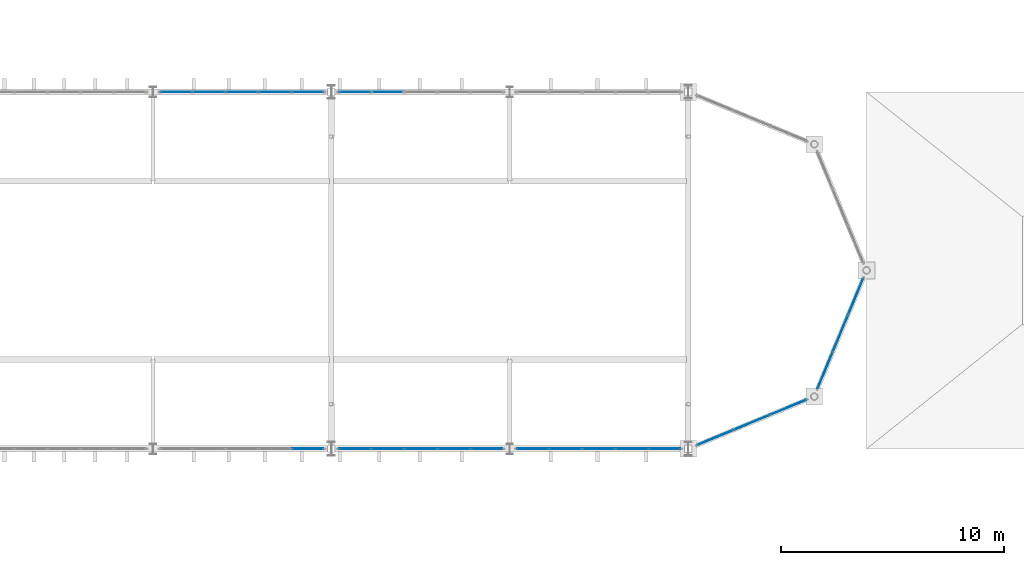
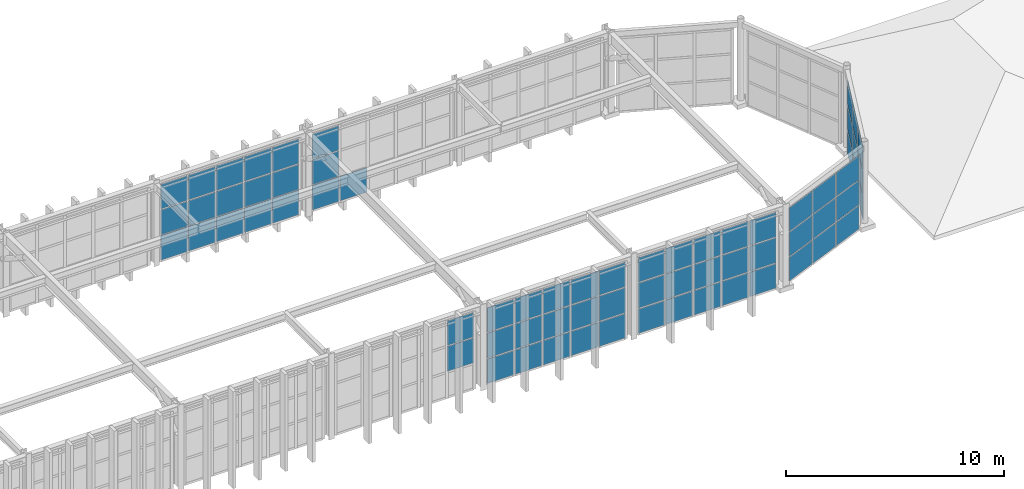
# One storey, part 43 of 61: 69 plates, 7 elements without a shape of their own.
"""IFC4 building model written with IfcOpenShell, lengths in metres."""

from ifc_helpers import new_model, si_unit, direction, frame, origin, origin_2d, place, context, subcontext, project, spatial, rectangle, extrude, material, layer, layer_set, type_object, element, aggregate, save


model = new_model("IFC4")

# Units and contexts
model_context = context("Model", 3, precision=1e-05, world=origin(), true_north=direction((0.0, 1.0)))
body_context = subcontext(model_context, "Body", "Model", "MODEL_VIEW")
ifc_project = project(units=[si_unit("LENGTHUNIT", "METRE"), si_unit("AREAUNIT", "SQUARE_METRE"), si_unit("VOLUMEUNIT", "CUBIC_METRE"), si_unit("PLANEANGLEUNIT", "RADIAN"), si_unit("MASSUNIT", "GRAM", prefix="KILO")], contexts=[model_context])

# Site, building, storey
site_placement = place(None, origin())
site = spatial("IfcSite", under=ifc_project, at=site_placement, CompositionType="ELEMENT")
building_placement = place(site_placement, origin())
building = spatial("IfcBuilding", under=site, at=building_placement, Name="Serraluz Foothill Cableway Terminal", CompositionType="ELEMENT")
storey_placement = place(building_placement, frame((0.0, 0.0, 15.0)))
storey = spatial("IfcBuildingStorey", under=building, at=storey_placement, Name="L03", CompositionType="ELEMENT", Elevation=15.0)

# Curtain wall, plates
ifc_material_1 = material(Name="Architectural bronze alloy C28000", Category="aluminium")
curtain_wall_type_1 = type_object("IfcCurtainWallType", Name="TYP-CW-440X360", PredefinedType="NOTDEFINED", material=ifc_material_1)
curtain_wall_1_placement = place(storey_placement, origin())
curtain_wall_1 = element("IfcCurtainWall", 1, at=curtain_wall_1_placement, inside=storey, type_object=curtain_wall_type_1, Name="Ribbed Glazed Curtain Wall CW-V1-E-L03-3", PredefinedType="NOTDEFINED")
ifc_material_2 = material(Name="Laminated low-E safety glass", Category="glass")
ifc_layer_1 = layer(ifc_material_2, 0.031982421875, Name="Laminated low-E safety glass", Category="glass")
ifc_layer_set_1 = layer_set([ifc_layer_1], Name="Laminated low-E safety glass")
plate_type_1 = type_object("IfcPlateType", Name="TYP-CW-PNL-32", PredefinedType="CURTAIN_PANEL", material=ifc_layer_set_1)
plate_1_placement = place(storey_placement, frame((159.5146484375, 62.827880859375, 0.05517578125), z_axis=(0.0, 0.0, 1.0), x_axis=(-0.382684759834, -0.923878982655, 0.0)))
plate_1 = element("IfcPlate", 2, at=plate_1_placement, type_object=plate_type_1, Name="CW-16 panel 1.1", PredefinedType="CURTAIN_PANEL", context=body_context, shape_type="SweptSolid", body=[
    extrude(rectangle(XDim=1.72412109375, YDim=0.031982421875, at=origin_2d()), origin(), (0.0, 0.0, 1.0), 1.3173828125),
])
plate_2_placement = place(storey_placement, frame((159.5146484375, 62.827880859375, 1.427734375), z_axis=(0.0, 0.0, 1.0), x_axis=(-0.382684759834, -0.923878982655, 0.0)))
plate_2 = element("IfcPlate", 3, at=plate_2_placement, type_object=plate_type_1, Name="CW-16 panel 1.2", PredefinedType="CURTAIN_PANEL", context=body_context, shape_type="SweptSolid", body=[
    extrude(rectangle(XDim=1.72412109375, YDim=0.031982421875, at=origin_2d()), origin(), (0.0, 0.0, 1.0), 1.344970703125),
])
plate_3_placement = place(storey_placement, frame((159.5146484375, 62.827880859375, 2.82763671875), z_axis=(0.0, 0.0, 1.0), x_axis=(-0.382684759834, -0.923878982655, 0.0)))
plate_3 = element("IfcPlate", 4, at=plate_3_placement, type_object=plate_type_1, Name="CW-16 panel 1.3", PredefinedType="CURTAIN_PANEL", context=body_context, shape_type="SweptSolid", body=[
    extrude(rectangle(XDim=1.72412109375, YDim=0.031982421875, at=origin_2d()), origin(), (0.0, 0.0, 1.0), 1.3173828125),
])
plate_4_placement = place(storey_placement, frame((158.828369140625, 61.171630859375, 0.05517578125), z_axis=(0.0, 0.0, 1.0), x_axis=(-0.382684759834, -0.923878982655, 0.0)))
plate_4 = element("IfcPlate", 5, at=plate_4_placement, type_object=plate_type_1, Name="CW-16 panel 2.1", PredefinedType="CURTAIN_PANEL", context=body_context, shape_type="SweptSolid", body=[
    extrude(rectangle(XDim=1.751708984375, YDim=0.031982421875, at=origin_2d()), origin(), (0.0, 0.0, 1.0), 1.3173828125),
])
plate_5_placement = place(storey_placement, frame((158.828369140625, 61.171630859375, 1.427734375), z_axis=(0.0, 0.0, 1.0), x_axis=(-0.382684759834, -0.923878982655, 0.0)))
plate_5 = element("IfcPlate", 6, at=plate_5_placement, type_object=plate_type_1, Name="CW-16 panel 2.2", PredefinedType="CURTAIN_PANEL", context=body_context, shape_type="SweptSolid", body=[
    extrude(rectangle(XDim=1.751708984375, YDim=0.031982421875, at=origin_2d()), origin(), (0.0, 0.0, 1.0), 1.344970703125),
])
plate_6_placement = place(storey_placement, frame((158.828369140625, 61.171630859375, 2.82763671875), z_axis=(0.0, 0.0, 1.0), x_axis=(-0.382684759834, -0.923878982655, 0.0)))
plate_6 = element("IfcPlate", 7, at=plate_6_placement, type_object=plate_type_1, Name="CW-16 panel 2.3", PredefinedType="CURTAIN_PANEL", context=body_context, shape_type="SweptSolid", body=[
    extrude(rectangle(XDim=1.751708984375, YDim=0.031982421875, at=origin_2d()), origin(), (0.0, 0.0, 1.0), 1.3173828125),
])
plate_7_placement = place(storey_placement, frame((158.142333984375, 59.51513671875, 0.05517578125), z_axis=(0.0, 0.0, 1.0), x_axis=(-0.382684759834, -0.923878982655, 0.0)))
plate_7 = element("IfcPlate", 8, at=plate_7_placement, type_object=plate_type_1, Name="CW-16 panel 3.1", PredefinedType="CURTAIN_PANEL", context=body_context, shape_type="SweptSolid", body=[
    extrude(rectangle(XDim=1.72412109375, YDim=0.031982421875, at=origin_2d()), origin(), (0.0, 0.0, 1.0), 1.3173828125),
])
plate_8_placement = place(storey_placement, frame((158.142333984375, 59.51513671875, 1.427734375), z_axis=(0.0, 0.0, 1.0), x_axis=(-0.382684759834, -0.923878982655, 0.0)))
plate_8 = element("IfcPlate", 9, at=plate_8_placement, type_object=plate_type_1, Name="CW-16 panel 3.2", PredefinedType="CURTAIN_PANEL", context=body_context, shape_type="SweptSolid", body=[
    extrude(rectangle(XDim=1.72412109375, YDim=0.031982421875, at=origin_2d()), origin(), (0.0, 0.0, 1.0), 1.344970703125),
])
plate_9_placement = place(storey_placement, frame((158.142333984375, 59.51513671875, 2.82763671875), z_axis=(0.0, 0.0, 1.0), x_axis=(-0.382684759834, -0.923878982655, 0.0)))
plate_9 = element("IfcPlate", 10, at=plate_9_placement, type_object=plate_type_1, Name="CW-16 panel 3.3", PredefinedType="CURTAIN_PANEL", context=body_context, shape_type="SweptSolid", body=[
    extrude(rectangle(XDim=1.72412109375, YDim=0.031982421875, at=origin_2d()), origin(), (0.0, 0.0, 1.0), 1.3173828125),
])
aggregate(curtain_wall_1, [plate_1, plate_2, plate_3, plate_4, plate_5, plate_6, plate_7, plate_8, plate_9])

curtain_wall_type_2 = type_object("IfcCurtainWallType", Name="TYP-CW-380X420", PredefinedType="NOTDEFINED", material=ifc_material_1)
curtain_wall_2_placement = place(storey_placement, origin())
curtain_wall_2 = element("IfcCurtainWall", 11, at=curtain_wall_2_placement, inside=storey, type_object=curtain_wall_type_2, Name="Ribbed Glazed Curtain Wall CW-V1-E-L03-4", PredefinedType="NOTDEFINED")
plate_10_placement = place(storey_placement, frame((156.493408203125, 57.861328125, 0.05517578125), z_axis=(0.0, 0.0, 1.0), x_axis=(-0.923880260537, -0.382681674752, 0.0)))
plate_10 = element("IfcPlate", 12, at=plate_10_placement, type_object=plate_type_1, Name="CW-17 panel 1.1", PredefinedType="CURTAIN_PANEL", context=body_context, shape_type="SweptSolid", body=[
    extrude(rectangle(XDim=1.705322265625, YDim=0.031982421875, at=origin_2d()), origin(), (0.0, 0.0, 1.0), 1.3173828125),
])
plate_11_placement = place(storey_placement, frame((156.493408203125, 57.861328125, 1.427734375), z_axis=(0.0, 0.0, 1.0), x_axis=(-0.923880260537, -0.382681674752, 0.0)))
plate_11 = element("IfcPlate", 13, at=plate_11_placement, type_object=plate_type_1, Name="CW-17 panel 1.2", PredefinedType="CURTAIN_PANEL", context=body_context, shape_type="SweptSolid", body=[
    extrude(rectangle(XDim=1.705322265625, YDim=0.031982421875, at=origin_2d()), origin(), (0.0, 0.0, 1.0), 1.344970703125),
])
plate_12_placement = place(storey_placement, frame((156.493408203125, 57.861328125, 2.82763671875), z_axis=(0.0, 0.0, 1.0), x_axis=(-0.923880260537, -0.382681674752, 0.0)))
plate_12 = element("IfcPlate", 14, at=plate_12_placement, type_object=plate_type_1, Name="CW-17 panel 1.3", PredefinedType="CURTAIN_PANEL", context=body_context, shape_type="SweptSolid", body=[
    extrude(rectangle(XDim=1.705322265625, YDim=0.031982421875, at=origin_2d()), origin(), (0.0, 0.0, 1.0), 1.3173828125),
])
plate_13_placement = place(storey_placement, frame((154.8544921875, 57.182373046875, 0.05517578125), z_axis=(0.0, 0.0, 1.0), x_axis=(-0.923880260537, -0.382681674752, 0.0)))
plate_13 = element("IfcPlate", 15, at=plate_13_placement, type_object=plate_type_1, Name="CW-17 panel 2.1", PredefinedType="CURTAIN_PANEL", context=body_context, shape_type="SweptSolid", body=[
    extrude(rectangle(XDim=1.73291015625, YDim=0.031982421875, at=origin_2d()), origin(), (0.0, 0.0, 1.0), 1.3173828125),
])
plate_14_placement = place(storey_placement, frame((154.8544921875, 57.182373046875, 1.427734375), z_axis=(0.0, 0.0, 1.0), x_axis=(-0.923880260537, -0.382681674752, 0.0)))
plate_14 = element("IfcPlate", 16, at=plate_14_placement, type_object=plate_type_1, Name="CW-17 panel 2.2", PredefinedType="CURTAIN_PANEL", context=body_context, shape_type="SweptSolid", body=[
    extrude(rectangle(XDim=1.73291015625, YDim=0.031982421875, at=origin_2d()), origin(), (0.0, 0.0, 1.0), 1.344970703125),
])
plate_15_placement = place(storey_placement, frame((154.8544921875, 57.182373046875, 2.82763671875), z_axis=(0.0, 0.0, 1.0), x_axis=(-0.923880260537, -0.382681674752, 0.0)))
plate_15 = element("IfcPlate", 17, at=plate_15_placement, type_object=plate_type_1, Name="CW-17 panel 2.3", PredefinedType="CURTAIN_PANEL", context=body_context, shape_type="SweptSolid", body=[
    extrude(rectangle(XDim=1.73291015625, YDim=0.031982421875, at=origin_2d()), origin(), (0.0, 0.0, 1.0), 1.3173828125),
])
plate_16_placement = place(storey_placement, frame((153.215576171875, 56.50341796875, 0.05517578125), z_axis=(0.0, 0.0, 1.0), x_axis=(-0.923880260537, -0.382681674752, 0.0)))
plate_16 = element("IfcPlate", 18, at=plate_16_placement, type_object=plate_type_1, Name="CW-17 panel 3.1", PredefinedType="CURTAIN_PANEL", context=body_context, shape_type="SweptSolid", body=[
    extrude(rectangle(XDim=1.705322265625, YDim=0.031982421875, at=origin_2d()), origin(), (0.0, 0.0, 1.0), 1.3173828125),
])
plate_17_placement = place(storey_placement, frame((153.215576171875, 56.50341796875, 1.427734375), z_axis=(0.0, 0.0, 1.0), x_axis=(-0.923880260537, -0.382681674752, 0.0)))
plate_17 = element("IfcPlate", 19, at=plate_17_placement, type_object=plate_type_1, Name="CW-17 panel 3.2", PredefinedType="CURTAIN_PANEL", context=body_context, shape_type="SweptSolid", body=[
    extrude(rectangle(XDim=1.705322265625, YDim=0.031982421875, at=origin_2d()), origin(), (0.0, 0.0, 1.0), 1.344970703125),
])
plate_18_placement = place(storey_placement, frame((153.215576171875, 56.50341796875, 2.82763671875), z_axis=(0.0, 0.0, 1.0), x_axis=(-0.923880260537, -0.382681674752, 0.0)))
plate_18 = element("IfcPlate", 20, at=plate_18_placement, type_object=plate_type_1, Name="CW-17 panel 3.3", PredefinedType="CURTAIN_PANEL", context=body_context, shape_type="SweptSolid", body=[
    extrude(rectangle(XDim=1.705322265625, YDim=0.031982421875, at=origin_2d()), origin(), (0.0, 0.0, 1.0), 1.3173828125),
])
aggregate(curtain_wall_2, [plate_10, plate_11, plate_12, plate_13, plate_14, plate_15, plate_16, plate_17, plate_18])

curtain_wall_type_3 = type_object("IfcCurtainWallType", Name="TYP-CW-880X420", PredefinedType="NOTDEFINED", material=ifc_material_1)
curtain_wall_3_placement = place(storey_placement, origin())
curtain_wall_3 = element("IfcCurtainWall", 21, at=curtain_wall_3_placement, inside=storey, type_object=curtain_wall_type_3, Name="Ribbed Glazed Curtain Wall CW-V1S-L03-128", PredefinedType="NOTDEFINED")
ifc_material_3 = material(Name="Translucent ribbed laminated channel glass", Category="glass")
ifc_layer_2 = layer(ifc_material_3, 0.0419921875, Name="Translucent ribbed laminated channel glass", Category="glass")
ifc_layer_set_2 = layer_set([ifc_layer_2], Name="Translucent ribbed laminated channel glass")
plate_type_2 = type_object("IfcPlateType", Name="TYP-CW-PNL-42", PredefinedType="CURTAIN_PANEL", material=ifc_layer_set_2)
plate_19_placement = place(storey_placement, frame((134.94091796875, 56.0, 1.47998046875), z_axis=(0.0, 0.0, 1.0), x_axis=(-1.0, 0.0, 0.0)))
plate_19 = element("IfcPlate", 22, at=plate_19_placement, type_object=plate_type_2, Name="CW-19 panel 1.2", PredefinedType="CURTAIN_PANEL", context=body_context, shape_type="SweptSolid", body=[
    extrude(rectangle(XDim=1.393310546875, YDim=0.0419921875, at=origin_2d()), origin(), (0.0, 0.0, 1.0), 1.389892578125),
])
plate_20_placement = place(storey_placement, frame((134.94091796875, 56.0, 2.93017578125), z_axis=(0.0, 0.0, 1.0), x_axis=(-1.0, 0.0, 0.0)))
plate_20 = element("IfcPlate", 23, at=plate_20_placement, type_object=plate_type_2, Name="CW-19 panel 1.3", PredefinedType="CURTAIN_PANEL", context=body_context, shape_type="SweptSolid", body=[
    extrude(rectangle(XDim=1.393310546875, YDim=0.0419921875, at=origin_2d()), origin(), (0.0, 0.0, 1.0), 1.360107421875),
])
aggregate(curtain_wall_3, [plate_19, plate_20])

curtain_wall_type_4 = type_object("IfcCurtainWallType", Name="TYP-CW-1480X420", PredefinedType="NOTDEFINED", material=ifc_material_1)
curtain_wall_4_placement = place(storey_placement, origin())
curtain_wall_4 = element("IfcCurtainWall", 24, at=curtain_wall_4_placement, inside=storey, type_object=curtain_wall_type_4, Name="Ribbed Glazed Curtain Wall CW-V1N-L03-128", PredefinedType="NOTDEFINED")
plate_21_placement = place(storey_placement, frame((129.0380859375, 72.0, 0.06005859375), z_axis=(0.0, 0.0, 1.0), x_axis=(1.0, 0.0, 0.0)))
plate_21 = element("IfcPlate", 25, at=plate_21_placement, type_object=plate_type_2, Name="CW-23 panel 1.1", PredefinedType="CURTAIN_PANEL", context=body_context, shape_type="SweptSolid", body=[
    extrude(rectangle(XDim=1.393310546875, YDim=0.0419921875, at=origin_2d()), origin(), (0.0, 0.0, 1.0), 1.360107421875),
])
plate_22_placement = place(storey_placement, frame((129.0380859375, 72.0, 1.47998046875), z_axis=(0.0, 0.0, 1.0), x_axis=(1.0, 0.0, 0.0)))
plate_22 = element("IfcPlate", 26, at=plate_22_placement, type_object=plate_type_2, Name="CW-23 panel 1.2", PredefinedType="CURTAIN_PANEL", context=body_context, shape_type="SweptSolid", body=[
    extrude(rectangle(XDim=1.393310546875, YDim=0.0419921875, at=origin_2d()), origin(), (0.0, 0.0, 1.0), 1.389892578125),
])
plate_23_placement = place(storey_placement, frame((129.0380859375, 72.0, 2.93017578125), z_axis=(0.0, 0.0, 1.0), x_axis=(1.0, 0.0, 0.0)))
plate_23 = element("IfcPlate", 27, at=plate_23_placement, type_object=plate_type_2, Name="CW-23 panel 1.3", PredefinedType="CURTAIN_PANEL", context=body_context, shape_type="SweptSolid", body=[
    extrude(rectangle(XDim=1.393310546875, YDim=0.0419921875, at=origin_2d()), origin(), (0.0, 0.0, 1.0), 1.360107421875),
])
plate_24_placement = place(storey_placement, frame((130.50634765625, 72.0, 0.06005859375), z_axis=(0.0, 0.0, 1.0), x_axis=(1.0, 0.0, 0.0)))
plate_24 = element("IfcPlate", 28, at=plate_24_placement, type_object=plate_type_2, Name="CW-23 panel 2.1", PredefinedType="CURTAIN_PANEL", context=body_context, shape_type="SweptSolid", body=[
    extrude(rectangle(XDim=1.423095703125, YDim=0.0419921875, at=origin_2d()), origin(), (0.0, 0.0, 1.0), 1.360107421875),
])
plate_25_placement = place(storey_placement, frame((130.50634765625, 72.0, 1.47998046875), z_axis=(0.0, 0.0, 1.0), x_axis=(1.0, 0.0, 0.0)))
plate_25 = element("IfcPlate", 29, at=plate_25_placement, type_object=plate_type_2, Name="CW-23 panel 2.2", PredefinedType="CURTAIN_PANEL", context=body_context, shape_type="SweptSolid", body=[
    extrude(rectangle(XDim=1.423095703125, YDim=0.0419921875, at=origin_2d()), origin(), (0.0, 0.0, 1.0), 1.389892578125),
])
plate_26_placement = place(storey_placement, frame((130.50634765625, 72.0, 2.93017578125), z_axis=(0.0, 0.0, 1.0), x_axis=(1.0, 0.0, 0.0)))
plate_26 = element("IfcPlate", 30, at=plate_26_placement, type_object=plate_type_2, Name="CW-23 panel 2.3", PredefinedType="CURTAIN_PANEL", context=body_context, shape_type="SweptSolid", body=[
    extrude(rectangle(XDim=1.423095703125, YDim=0.0419921875, at=origin_2d()), origin(), (0.0, 0.0, 1.0), 1.360107421875),
])
plate_27_placement = place(storey_placement, frame((131.989501953125, 72.0, 0.06005859375), z_axis=(0.0, 0.0, 1.0), x_axis=(1.0, 0.0, 0.0)))
plate_27 = element("IfcPlate", 31, at=plate_27_placement, type_object=plate_type_2, Name="CW-23 panel 3.1", PredefinedType="CURTAIN_PANEL", context=body_context, shape_type="SweptSolid", body=[
    extrude(rectangle(XDim=1.423095703125, YDim=0.0419921875, at=origin_2d()), origin(), (0.0, 0.0, 1.0), 1.360107421875),
])
plate_28_placement = place(storey_placement, frame((131.989501953125, 72.0, 1.47998046875), z_axis=(0.0, 0.0, 1.0), x_axis=(1.0, 0.0, 0.0)))
plate_28 = element("IfcPlate", 32, at=plate_28_placement, type_object=plate_type_2, Name="CW-23 panel 3.2", PredefinedType="CURTAIN_PANEL", context=body_context, shape_type="SweptSolid", body=[
    extrude(rectangle(XDim=1.423095703125, YDim=0.0419921875, at=origin_2d()), origin(), (0.0, 0.0, 1.0), 1.389892578125),
])
plate_29_placement = place(storey_placement, frame((131.989501953125, 72.0, 2.93017578125), z_axis=(0.0, 0.0, 1.0), x_axis=(1.0, 0.0, 0.0)))
plate_29 = element("IfcPlate", 33, at=plate_29_placement, type_object=plate_type_2, Name="CW-23 panel 3.3", PredefinedType="CURTAIN_PANEL", context=body_context, shape_type="SweptSolid", body=[
    extrude(rectangle(XDim=1.423095703125, YDim=0.0419921875, at=origin_2d()), origin(), (0.0, 0.0, 1.0), 1.360107421875),
])
plate_30_placement = place(storey_placement, frame((133.47265625, 72.0, 0.06005859375), z_axis=(0.0, 0.0, 1.0), x_axis=(1.0, 0.0, 0.0)))
plate_30 = element("IfcPlate", 34, at=plate_30_placement, type_object=plate_type_2, Name="CW-23 panel 4.1", PredefinedType="CURTAIN_PANEL", context=body_context, shape_type="SweptSolid", body=[
    extrude(rectangle(XDim=1.423095703125, YDim=0.0419921875, at=origin_2d()), origin(), (0.0, 0.0, 1.0), 1.360107421875),
])
plate_31_placement = place(storey_placement, frame((133.47265625, 72.0, 1.47998046875), z_axis=(0.0, 0.0, 1.0), x_axis=(1.0, 0.0, 0.0)))
plate_31 = element("IfcPlate", 35, at=plate_31_placement, type_object=plate_type_2, Name="CW-23 panel 4.2", PredefinedType="CURTAIN_PANEL", context=body_context, shape_type="SweptSolid", body=[
    extrude(rectangle(XDim=1.423095703125, YDim=0.0419921875, at=origin_2d()), origin(), (0.0, 0.0, 1.0), 1.389892578125),
])
plate_32_placement = place(storey_placement, frame((133.47265625, 72.0, 2.93017578125), z_axis=(0.0, 0.0, 1.0), x_axis=(1.0, 0.0, 0.0)))
plate_32 = element("IfcPlate", 36, at=plate_32_placement, type_object=plate_type_2, Name="CW-23 panel 4.3", PredefinedType="CURTAIN_PANEL", context=body_context, shape_type="SweptSolid", body=[
    extrude(rectangle(XDim=1.423095703125, YDim=0.0419921875, at=origin_2d()), origin(), (0.0, 0.0, 1.0), 1.360107421875),
])
plate_33_placement = place(storey_placement, frame((134.94091796875, 72.0, 0.06005859375), z_axis=(0.0, 0.0, 1.0), x_axis=(1.0, 0.0, 0.0)))
plate_33 = element("IfcPlate", 37, at=plate_33_placement, type_object=plate_type_2, Name="CW-23 panel 5.1", PredefinedType="CURTAIN_PANEL", context=body_context, shape_type="SweptSolid", body=[
    extrude(rectangle(XDim=1.393310546875, YDim=0.0419921875, at=origin_2d()), origin(), (0.0, 0.0, 1.0), 1.360107421875),
])
plate_34_placement = place(storey_placement, frame((134.94091796875, 72.0, 1.47998046875), z_axis=(0.0, 0.0, 1.0), x_axis=(1.0, 0.0, 0.0)))
plate_34 = element("IfcPlate", 38, at=plate_34_placement, type_object=plate_type_2, Name="CW-23 panel 5.2", PredefinedType="CURTAIN_PANEL", context=body_context, shape_type="SweptSolid", body=[
    extrude(rectangle(XDim=1.393310546875, YDim=0.0419921875, at=origin_2d()), origin(), (0.0, 0.0, 1.0), 1.389892578125),
])
plate_35_placement = place(storey_placement, frame((134.94091796875, 72.0, 2.93017578125), z_axis=(0.0, 0.0, 1.0), x_axis=(1.0, 0.0, 0.0)))
plate_35 = element("IfcPlate", 39, at=plate_35_placement, type_object=plate_type_2, Name="CW-23 panel 5.3", PredefinedType="CURTAIN_PANEL", context=body_context, shape_type="SweptSolid", body=[
    extrude(rectangle(XDim=1.393310546875, YDim=0.0419921875, at=origin_2d()), origin(), (0.0, 0.0, 1.0), 1.360107421875),
])
aggregate(curtain_wall_4, [plate_21, plate_22, plate_23, plate_24, plate_25, plate_26, plate_27, plate_28, plate_29, plate_30, plate_31, plate_32, plate_33, plate_34, plate_35])

curtain_wall_type_5 = type_object("IfcCurtainWallType", Name="TYP-CW-920X440", PredefinedType="NOTDEFINED", material=ifc_material_1)
curtain_wall_5_placement = place(storey_placement, origin())
curtain_wall_5 = element("IfcCurtainWall", 40, at=curtain_wall_5_placement, inside=storey, type_object=curtain_wall_type_5, Name="Ribbed Glazed Curtain Wall CW-V1S-L03-136", PredefinedType="NOTDEFINED")
plate_36_placement = place(storey_placement, frame((142.9619140625, 56.0, 0.06005859375), z_axis=(0.0, 0.0, 1.0), x_axis=(-1.0, 0.0, 0.0)))
plate_36 = element("IfcPlate", 41, at=plate_36_placement, type_object=plate_type_2, Name="CW-20 panel 1.1", PredefinedType="CURTAIN_PANEL", context=body_context, shape_type="SweptSolid", body=[
    extrude(rectangle(XDim=1.393310546875, YDim=0.0419921875, at=origin_2d()), origin(), (0.0, 0.0, 1.0), 1.360107421875),
])
plate_37_placement = place(storey_placement, frame((142.9619140625, 56.0, 1.47998046875), z_axis=(0.0, 0.0, 1.0), x_axis=(-1.0, 0.0, 0.0)))
plate_37 = element("IfcPlate", 42, at=plate_37_placement, type_object=plate_type_2, Name="CW-20 panel 1.2", PredefinedType="CURTAIN_PANEL", context=body_context, shape_type="SweptSolid", body=[
    extrude(rectangle(XDim=1.393310546875, YDim=0.0419921875, at=origin_2d()), origin(), (0.0, 0.0, 1.0), 1.389892578125),
])
plate_38_placement = place(storey_placement, frame((142.9619140625, 56.0, 2.93017578125), z_axis=(0.0, 0.0, 1.0), x_axis=(-1.0, 0.0, 0.0)))
plate_38 = element("IfcPlate", 43, at=plate_38_placement, type_object=plate_type_2, Name="CW-20 panel 1.3", PredefinedType="CURTAIN_PANEL", context=body_context, shape_type="SweptSolid", body=[
    extrude(rectangle(XDim=1.393310546875, YDim=0.0419921875, at=origin_2d()), origin(), (0.0, 0.0, 1.0), 1.360107421875),
])
plate_39_placement = place(storey_placement, frame((141.49365234375, 56.0, 0.06005859375), z_axis=(0.0, 0.0, 1.0), x_axis=(-1.0, 0.0, 0.0)))
plate_39 = element("IfcPlate", 44, at=plate_39_placement, type_object=plate_type_2, Name="CW-20 panel 2.1", PredefinedType="CURTAIN_PANEL", context=body_context, shape_type="SweptSolid", body=[
    extrude(rectangle(XDim=1.423095703125, YDim=0.0419921875, at=origin_2d()), origin(), (0.0, 0.0, 1.0), 1.360107421875),
])
plate_40_placement = place(storey_placement, frame((141.49365234375, 56.0, 1.47998046875), z_axis=(0.0, 0.0, 1.0), x_axis=(-1.0, 0.0, 0.0)))
plate_40 = element("IfcPlate", 45, at=plate_40_placement, type_object=plate_type_2, Name="CW-20 panel 2.2", PredefinedType="CURTAIN_PANEL", context=body_context, shape_type="SweptSolid", body=[
    extrude(rectangle(XDim=1.423095703125, YDim=0.0419921875, at=origin_2d()), origin(), (0.0, 0.0, 1.0), 1.389892578125),
])
plate_41_placement = place(storey_placement, frame((141.49365234375, 56.0, 2.93017578125), z_axis=(0.0, 0.0, 1.0), x_axis=(-1.0, 0.0, 0.0)))
plate_41 = element("IfcPlate", 46, at=plate_41_placement, type_object=plate_type_2, Name="CW-20 panel 2.3", PredefinedType="CURTAIN_PANEL", context=body_context, shape_type="SweptSolid", body=[
    extrude(rectangle(XDim=1.423095703125, YDim=0.0419921875, at=origin_2d()), origin(), (0.0, 0.0, 1.0), 1.360107421875),
])
plate_42_placement = place(storey_placement, frame((140.010498046875, 56.0, 0.06005859375), z_axis=(0.0, 0.0, 1.0), x_axis=(-1.0, 0.0, 0.0)))
plate_42 = element("IfcPlate", 47, at=plate_42_placement, type_object=plate_type_2, Name="CW-20 panel 3.1", PredefinedType="CURTAIN_PANEL", context=body_context, shape_type="SweptSolid", body=[
    extrude(rectangle(XDim=1.423095703125, YDim=0.0419921875, at=origin_2d()), origin(), (0.0, 0.0, 1.0), 1.360107421875),
])
plate_43_placement = place(storey_placement, frame((140.010498046875, 56.0, 1.47998046875), z_axis=(0.0, 0.0, 1.0), x_axis=(-1.0, 0.0, 0.0)))
plate_43 = element("IfcPlate", 48, at=plate_43_placement, type_object=plate_type_2, Name="CW-20 panel 3.2", PredefinedType="CURTAIN_PANEL", context=body_context, shape_type="SweptSolid", body=[
    extrude(rectangle(XDim=1.423095703125, YDim=0.0419921875, at=origin_2d()), origin(), (0.0, 0.0, 1.0), 1.389892578125),
])
plate_44_placement = place(storey_placement, frame((140.010498046875, 56.0, 2.93017578125), z_axis=(0.0, 0.0, 1.0), x_axis=(-1.0, 0.0, 0.0)))
plate_44 = element("IfcPlate", 49, at=plate_44_placement, type_object=plate_type_2, Name="CW-20 panel 3.3", PredefinedType="CURTAIN_PANEL", context=body_context, shape_type="SweptSolid", body=[
    extrude(rectangle(XDim=1.423095703125, YDim=0.0419921875, at=origin_2d()), origin(), (0.0, 0.0, 1.0), 1.360107421875),
])
plate_45_placement = place(storey_placement, frame((138.52734375, 56.0, 0.06005859375), z_axis=(0.0, 0.0, 1.0), x_axis=(-1.0, 0.0, 0.0)))
plate_45 = element("IfcPlate", 50, at=plate_45_placement, type_object=plate_type_2, Name="CW-20 panel 4.1", PredefinedType="CURTAIN_PANEL", context=body_context, shape_type="SweptSolid", body=[
    extrude(rectangle(XDim=1.423095703125, YDim=0.0419921875, at=origin_2d()), origin(), (0.0, 0.0, 1.0), 1.360107421875),
])
plate_46_placement = place(storey_placement, frame((138.52734375, 56.0, 1.47998046875), z_axis=(0.0, 0.0, 1.0), x_axis=(-1.0, 0.0, 0.0)))
plate_46 = element("IfcPlate", 51, at=plate_46_placement, type_object=plate_type_2, Name="CW-20 panel 4.2", PredefinedType="CURTAIN_PANEL", context=body_context, shape_type="SweptSolid", body=[
    extrude(rectangle(XDim=1.423095703125, YDim=0.0419921875, at=origin_2d()), origin(), (0.0, 0.0, 1.0), 1.389892578125),
])
plate_47_placement = place(storey_placement, frame((138.52734375, 56.0, 2.93017578125), z_axis=(0.0, 0.0, 1.0), x_axis=(-1.0, 0.0, 0.0)))
plate_47 = element("IfcPlate", 52, at=plate_47_placement, type_object=plate_type_2, Name="CW-20 panel 4.3", PredefinedType="CURTAIN_PANEL", context=body_context, shape_type="SweptSolid", body=[
    extrude(rectangle(XDim=1.423095703125, YDim=0.0419921875, at=origin_2d()), origin(), (0.0, 0.0, 1.0), 1.360107421875),
])
plate_48_placement = place(storey_placement, frame((137.05908203125, 56.0, 0.06005859375), z_axis=(0.0, 0.0, 1.0), x_axis=(-1.0, 0.0, 0.0)))
plate_48 = element("IfcPlate", 53, at=plate_48_placement, type_object=plate_type_2, Name="CW-20 panel 5.1", PredefinedType="CURTAIN_PANEL", context=body_context, shape_type="SweptSolid", body=[
    extrude(rectangle(XDim=1.393310546875, YDim=0.0419921875, at=origin_2d()), origin(), (0.0, 0.0, 1.0), 1.360107421875),
])
plate_49_placement = place(storey_placement, frame((137.05908203125, 56.0, 1.47998046875), z_axis=(0.0, 0.0, 1.0), x_axis=(-1.0, 0.0, 0.0)))
plate_49 = element("IfcPlate", 54, at=plate_49_placement, type_object=plate_type_2, Name="CW-20 panel 5.2", PredefinedType="CURTAIN_PANEL", context=body_context, shape_type="SweptSolid", body=[
    extrude(rectangle(XDim=1.393310546875, YDim=0.0419921875, at=origin_2d()), origin(), (0.0, 0.0, 1.0), 1.389892578125),
])
plate_50_placement = place(storey_placement, frame((137.05908203125, 56.0, 2.93017578125), z_axis=(0.0, 0.0, 1.0), x_axis=(-1.0, 0.0, 0.0)))
plate_50 = element("IfcPlate", 55, at=plate_50_placement, type_object=plate_type_2, Name="CW-20 panel 5.3", PredefinedType="CURTAIN_PANEL", context=body_context, shape_type="SweptSolid", body=[
    extrude(rectangle(XDim=1.393310546875, YDim=0.0419921875, at=origin_2d()), origin(), (0.0, 0.0, 1.0), 1.360107421875),
])
aggregate(curtain_wall_5, [plate_36, plate_37, plate_38, plate_39, plate_40, plate_41, plate_42, plate_43, plate_44, plate_45, plate_46, plate_47, plate_48, plate_49, plate_50])

curtain_wall_type_6 = type_object("IfcCurtainWallType", Name="TYP-CW-1480X390", PredefinedType="NOTDEFINED", material=ifc_material_1)
curtain_wall_6_placement = place(storey_placement, origin())
curtain_wall_6 = element("IfcCurtainWall", 56, at=curtain_wall_6_placement, inside=storey, type_object=curtain_wall_type_6, Name="Ribbed Glazed Curtain Wall CW-V1N-L03-136", PredefinedType="NOTDEFINED")
plate_51_placement = place(storey_placement, frame((137.05908203125, 72.0, 0.06005859375), z_axis=(0.0, 0.0, 1.0), x_axis=(1.0, 0.0, 0.0)))
plate_51 = element("IfcPlate", 57, at=plate_51_placement, type_object=plate_type_2, Name="CW-24 panel 1.1", PredefinedType="CURTAIN_PANEL", context=body_context, shape_type="SweptSolid", body=[
    extrude(rectangle(XDim=1.393310546875, YDim=0.0419921875, at=origin_2d()), origin(), (0.0, 0.0, 1.0), 1.360107421875),
])
plate_52_placement = place(storey_placement, frame((137.05908203125, 72.0, 1.47998046875), z_axis=(0.0, 0.0, 1.0), x_axis=(1.0, 0.0, 0.0)))
plate_52 = element("IfcPlate", 58, at=plate_52_placement, type_object=plate_type_2, Name="CW-24 panel 1.2", PredefinedType="CURTAIN_PANEL", context=body_context, shape_type="SweptSolid", body=[
    extrude(rectangle(XDim=1.393310546875, YDim=0.0419921875, at=origin_2d()), origin(), (0.0, 0.0, 1.0), 1.389892578125),
])
plate_53_placement = place(storey_placement, frame((137.05908203125, 72.0, 2.93017578125), z_axis=(0.0, 0.0, 1.0), x_axis=(1.0, 0.0, 0.0)))
plate_53 = element("IfcPlate", 59, at=plate_53_placement, type_object=plate_type_2, Name="CW-24 panel 1.3", PredefinedType="CURTAIN_PANEL", context=body_context, shape_type="SweptSolid", body=[
    extrude(rectangle(XDim=1.393310546875, YDim=0.0419921875, at=origin_2d()), origin(), (0.0, 0.0, 1.0), 1.360107421875),
])
plate_54_placement = place(storey_placement, frame((138.52734375, 72.0, 0.06005859375), z_axis=(0.0, 0.0, 1.0), x_axis=(1.0, 0.0, 0.0)))
plate_54 = element("IfcPlate", 60, at=plate_54_placement, type_object=plate_type_2, Name="CW-24 panel 2.1", PredefinedType="CURTAIN_PANEL", context=body_context, shape_type="SweptSolid", body=[
    extrude(rectangle(XDim=1.423095703125, YDim=0.0419921875, at=origin_2d()), origin(), (0.0, 0.0, 1.0), 1.360107421875),
])
aggregate(curtain_wall_6, [plate_51, plate_52, plate_53, plate_54])

curtain_wall_type_7 = type_object("IfcCurtainWallType", Name="TYP-CW-1120X420", PredefinedType="NOTDEFINED", material=ifc_material_1)
curtain_wall_7_placement = place(storey_placement, origin())
curtain_wall_7 = element("IfcCurtainWall", 61, at=curtain_wall_7_placement, inside=storey, type_object=curtain_wall_type_7, Name="Ribbed Glazed Curtain Wall CW-V1S-L03-144", PredefinedType="NOTDEFINED")
plate_55_placement = place(storey_placement, frame((150.94091796875, 56.0, 0.06005859375), z_axis=(0.0, 0.0, 1.0), x_axis=(-1.0, 0.0, 0.0)))
plate_55 = element("IfcPlate", 62, at=plate_55_placement, type_object=plate_type_2, Name="CW-21 panel 1.1", PredefinedType="CURTAIN_PANEL", context=body_context, shape_type="SweptSolid", body=[
    extrude(rectangle(XDim=1.393310546875, YDim=0.0419921875, at=origin_2d()), origin(), (0.0, 0.0, 1.0), 1.360107421875),
])
plate_56_placement = place(storey_placement, frame((150.94091796875, 56.0, 1.47998046875), z_axis=(0.0, 0.0, 1.0), x_axis=(-1.0, 0.0, 0.0)))
plate_56 = element("IfcPlate", 63, at=plate_56_placement, type_object=plate_type_2, Name="CW-21 panel 1.2", PredefinedType="CURTAIN_PANEL", context=body_context, shape_type="SweptSolid", body=[
    extrude(rectangle(XDim=1.393310546875, YDim=0.0419921875, at=origin_2d()), origin(), (0.0, 0.0, 1.0), 1.389892578125),
])
plate_57_placement = place(storey_placement, frame((150.94091796875, 56.0, 2.93017578125), z_axis=(0.0, 0.0, 1.0), x_axis=(-1.0, 0.0, 0.0)))
plate_57 = element("IfcPlate", 64, at=plate_57_placement, type_object=plate_type_2, Name="CW-21 panel 1.3", PredefinedType="CURTAIN_PANEL", context=body_context, shape_type="SweptSolid", body=[
    extrude(rectangle(XDim=1.393310546875, YDim=0.0419921875, at=origin_2d()), origin(), (0.0, 0.0, 1.0), 1.360107421875),
])
plate_58_placement = place(storey_placement, frame((149.47265625, 56.0, 0.06005859375), z_axis=(0.0, 0.0, 1.0), x_axis=(-1.0, 0.0, 0.0)))
plate_58 = element("IfcPlate", 65, at=plate_58_placement, type_object=plate_type_2, Name="CW-21 panel 2.1", PredefinedType="CURTAIN_PANEL", context=body_context, shape_type="SweptSolid", body=[
    extrude(rectangle(XDim=1.423095703125, YDim=0.0419921875, at=origin_2d()), origin(), (0.0, 0.0, 1.0), 1.360107421875),
])
plate_59_placement = place(storey_placement, frame((149.47265625, 56.0, 1.47998046875), z_axis=(0.0, 0.0, 1.0), x_axis=(-1.0, 0.0, 0.0)))
plate_59 = element("IfcPlate", 66, at=plate_59_placement, type_object=plate_type_2, Name="CW-21 panel 2.2", PredefinedType="CURTAIN_PANEL", context=body_context, shape_type="SweptSolid", body=[
    extrude(rectangle(XDim=1.423095703125, YDim=0.0419921875, at=origin_2d()), origin(), (0.0, 0.0, 1.0), 1.389892578125),
])
plate_60_placement = place(storey_placement, frame((149.47265625, 56.0, 2.93017578125), z_axis=(0.0, 0.0, 1.0), x_axis=(-1.0, 0.0, 0.0)))
plate_60 = element("IfcPlate", 67, at=plate_60_placement, type_object=plate_type_2, Name="CW-21 panel 2.3", PredefinedType="CURTAIN_PANEL", context=body_context, shape_type="SweptSolid", body=[
    extrude(rectangle(XDim=1.423095703125, YDim=0.0419921875, at=origin_2d()), origin(), (0.0, 0.0, 1.0), 1.360107421875),
])
plate_61_placement = place(storey_placement, frame((147.989501953125, 56.0, 0.06005859375), z_axis=(0.0, 0.0, 1.0), x_axis=(-1.0, 0.0, 0.0)))
plate_61 = element("IfcPlate", 68, at=plate_61_placement, type_object=plate_type_2, Name="CW-21 panel 3.1", PredefinedType="CURTAIN_PANEL", context=body_context, shape_type="SweptSolid", body=[
    extrude(rectangle(XDim=1.423095703125, YDim=0.0419921875, at=origin_2d()), origin(), (0.0, 0.0, 1.0), 1.360107421875),
])
plate_62_placement = place(storey_placement, frame((147.989501953125, 56.0, 1.47998046875), z_axis=(0.0, 0.0, 1.0), x_axis=(-1.0, 0.0, 0.0)))
plate_62 = element("IfcPlate", 69, at=plate_62_placement, type_object=plate_type_2, Name="CW-21 panel 3.2", PredefinedType="CURTAIN_PANEL", context=body_context, shape_type="SweptSolid", body=[
    extrude(rectangle(XDim=1.423095703125, YDim=0.0419921875, at=origin_2d()), origin(), (0.0, 0.0, 1.0), 1.389892578125),
])
plate_63_placement = place(storey_placement, frame((147.989501953125, 56.0, 2.93017578125), z_axis=(0.0, 0.0, 1.0), x_axis=(-1.0, 0.0, 0.0)))
plate_63 = element("IfcPlate", 70, at=plate_63_placement, type_object=plate_type_2, Name="CW-21 panel 3.3", PredefinedType="CURTAIN_PANEL", context=body_context, shape_type="SweptSolid", body=[
    extrude(rectangle(XDim=1.423095703125, YDim=0.0419921875, at=origin_2d()), origin(), (0.0, 0.0, 1.0), 1.360107421875),
])
plate_64_placement = place(storey_placement, frame((146.50634765625, 56.0, 0.06005859375), z_axis=(0.0, 0.0, 1.0), x_axis=(-1.0, 0.0, 0.0)))
plate_64 = element("IfcPlate", 71, at=plate_64_placement, type_object=plate_type_2, Name="CW-21 panel 4.1", PredefinedType="CURTAIN_PANEL", context=body_context, shape_type="SweptSolid", body=[
    extrude(rectangle(XDim=1.423095703125, YDim=0.0419921875, at=origin_2d()), origin(), (0.0, 0.0, 1.0), 1.360107421875),
])
plate_65_placement = place(storey_placement, frame((146.50634765625, 56.0, 1.47998046875), z_axis=(0.0, 0.0, 1.0), x_axis=(-1.0, 0.0, 0.0)))
plate_65 = element("IfcPlate", 72, at=plate_65_placement, type_object=plate_type_2, Name="CW-21 panel 4.2", PredefinedType="CURTAIN_PANEL", context=body_context, shape_type="SweptSolid", body=[
    extrude(rectangle(XDim=1.423095703125, YDim=0.0419921875, at=origin_2d()), origin(), (0.0, 0.0, 1.0), 1.389892578125),
])
plate_66_placement = place(storey_placement, frame((146.50634765625, 56.0, 2.93017578125), z_axis=(0.0, 0.0, 1.0), x_axis=(-1.0, 0.0, 0.0)))
plate_66 = element("IfcPlate", 73, at=plate_66_placement, type_object=plate_type_2, Name="CW-21 panel 4.3", PredefinedType="CURTAIN_PANEL", context=body_context, shape_type="SweptSolid", body=[
    extrude(rectangle(XDim=1.423095703125, YDim=0.0419921875, at=origin_2d()), origin(), (0.0, 0.0, 1.0), 1.360107421875),
])
plate_67_placement = place(storey_placement, frame((145.0380859375, 56.0, 0.06005859375), z_axis=(0.0, 0.0, 1.0), x_axis=(-1.0, 0.0, 0.0)))
plate_67 = element("IfcPlate", 74, at=plate_67_placement, type_object=plate_type_2, Name="CW-21 panel 5.1", PredefinedType="CURTAIN_PANEL", context=body_context, shape_type="SweptSolid", body=[
    extrude(rectangle(XDim=1.393310546875, YDim=0.0419921875, at=origin_2d()), origin(), (0.0, 0.0, 1.0), 1.360107421875),
])
plate_68_placement = place(storey_placement, frame((145.0380859375, 56.0, 1.47998046875), z_axis=(0.0, 0.0, 1.0), x_axis=(-1.0, 0.0, 0.0)))
plate_68 = element("IfcPlate", 75, at=plate_68_placement, type_object=plate_type_2, Name="CW-21 panel 5.2", PredefinedType="CURTAIN_PANEL", context=body_context, shape_type="SweptSolid", body=[
    extrude(rectangle(XDim=1.393310546875, YDim=0.0419921875, at=origin_2d()), origin(), (0.0, 0.0, 1.0), 1.389892578125),
])
plate_69_placement = place(storey_placement, frame((145.0380859375, 56.0, 2.93017578125), z_axis=(0.0, 0.0, 1.0), x_axis=(-1.0, 0.0, 0.0)))
plate_69 = element("IfcPlate", 76, at=plate_69_placement, type_object=plate_type_2, Name="CW-21 panel 5.3", PredefinedType="CURTAIN_PANEL", context=body_context, shape_type="SweptSolid", body=[
    extrude(rectangle(XDim=1.393310546875, YDim=0.0419921875, at=origin_2d()), origin(), (0.0, 0.0, 1.0), 1.360107421875),
])
aggregate(curtain_wall_7, [plate_55, plate_56, plate_57, plate_58, plate_59, plate_60, plate_61, plate_62, plate_63, plate_64, plate_65, plate_66, plate_67, plate_68, plate_69])

save(model, "model.ifc")
